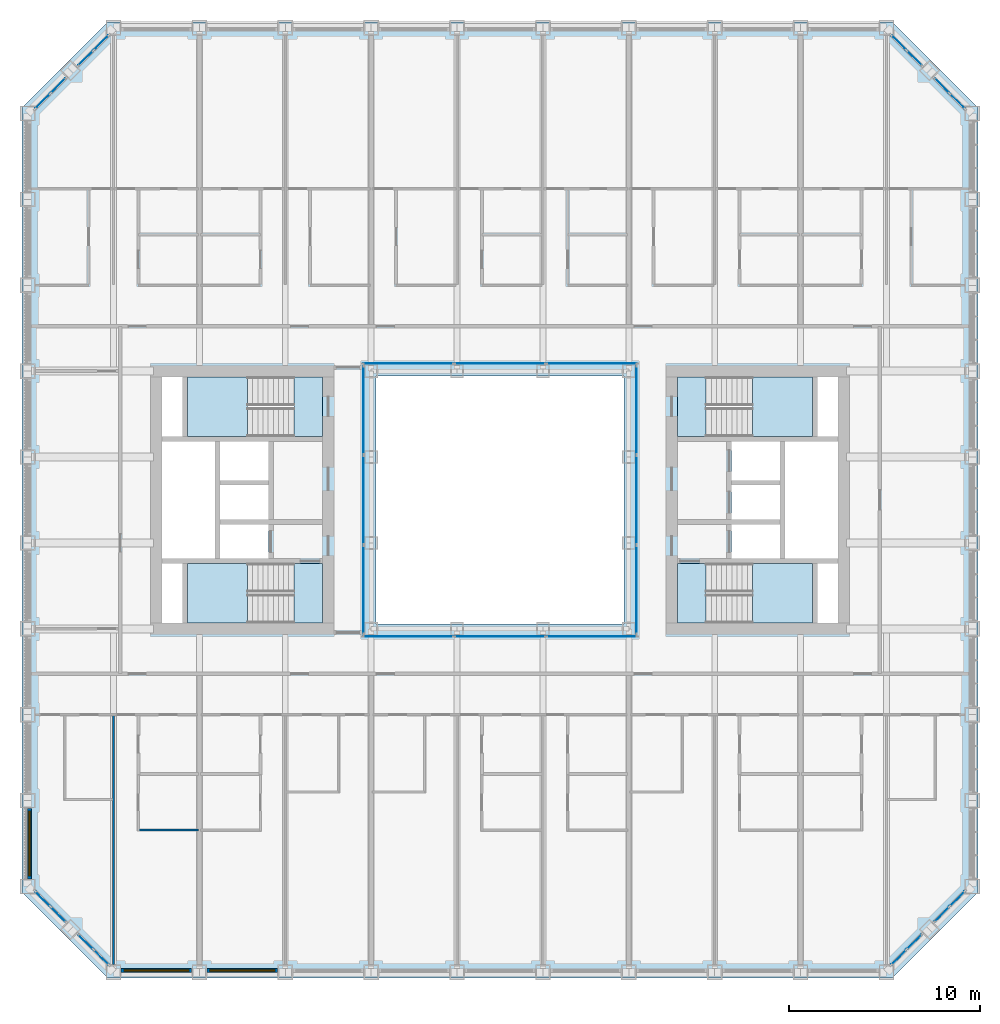
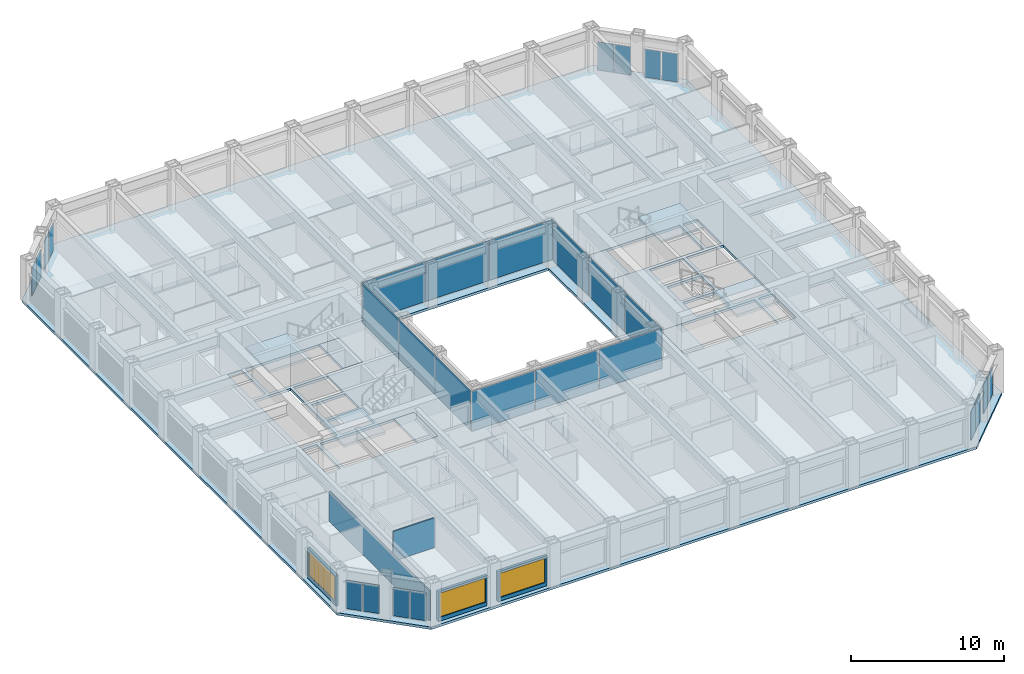
# One storey, part 8 of 21: 28 plates, 9 slabs, 5 walls, 3 windows, 3 openings, 16 elements without a shape of their own.
"""IFC4 building model written with IfcOpenShell, lengths in metres."""

from ifc_helpers import new_model, si_unit, direction, frame, frame_2d, origin, origin_2d, place, context, subcontext, project, spatial, polyline, rectangle, outline, extrude, material, layer, layer_set, type_object, element, fill, aggregate, save


model = new_model("IFC4")

# Units and contexts
model_context = context("Model", 3, precision=1e-05, world=origin(), true_north=direction((0.0, 1.0)))
body_context = subcontext(model_context, "Body", "Model", "MODEL_VIEW")
ifc_project = project(units=[si_unit("LENGTHUNIT", "METRE"), si_unit("AREAUNIT", "SQUARE_METRE"), si_unit("VOLUMEUNIT", "CUBIC_METRE"), si_unit("PLANEANGLEUNIT", "RADIAN"), si_unit("MASSUNIT", "GRAM", prefix="KILO")], contexts=[model_context])

# Site, building, storey
site_placement = place(None, origin())
site = spatial("IfcSite", under=ifc_project, at=site_placement, CompositionType="ELEMENT")
building_placement = place(site_placement, origin())
building = spatial("IfcBuilding", under=site, at=building_placement, Name="Msasa Ring Tower", CompositionType="ELEMENT")
storey_placement = place(building_placement, frame((0.0, 0.0, 51.0)))
storey = spatial("IfcBuildingStorey", under=building, at=storey_placement, Name="L12", CompositionType="ELEMENT", Elevation=51.0)

# Curtain wall, plates
ifc_material_1 = material(Name="Aluminium curtain wall with clear glass", Category="aluminium")
curtain_wall_type_1 = type_object("IfcCurtainWallType", Name="CW-C CHAMFER CORNER CURTAIN WALL", PredefinedType="NOTDEFINED", material=ifc_material_1)
curtain_wall_1_placement = place(storey_placement, origin())
curtain_wall_1 = element("IfcCurtainWall", 1, at=curtain_wall_1_placement, inside=storey, type_object=curtain_wall_type_1, Name="Chamfer corner curtain wall SE L12", PredefinedType="NOTDEFINED")
ifc_material_2 = material(Name="Clear laminated insulating glass unit", Category="glass")
ifc_layer_1 = layer(ifc_material_2, 0.031982421875)
ifc_layer_set_1 = layer_set([ifc_layer_1], Name="CW-C GLASS PANEL 32")
plate_type_1 = type_object("IfcPlateType", Name="CW-C GLASS PANEL 32", PredefinedType="CURTAIN_PANEL", material=ifc_layer_set_1)
plate_1_placement = place(storey_placement, frame((20.896484375, -23.962158203125, 0.06494140625), z_axis=(0.0, 0.0, 1.0), x_axis=(0.707106781187, 0.707106781187, 0.0)))
plate_1 = element("IfcPlate", 2, at=plate_1_placement, type_object=plate_type_1, Name="CW-C panel 1.1", PredefinedType="CURTAIN_PANEL", context=body_context, shape_type="SweptSolid", body=[
    extrude(rectangle(XDim=1.08837890625, YDim=0.031982421875, at=origin_2d()), origin(), (0.0, 0.0, 1.0), 2.2490234375),
])
plate_2_placement = place(storey_placement, frame((21.712158203125, -23.146484375, 0.06494140625), z_axis=(0.0, 0.0, 1.0), x_axis=(0.707106781187, 0.707106781187, 0.0)))
plate_2 = element("IfcPlate", 3, at=plate_2_placement, type_object=plate_type_1, Name="CW-C panel 2.1", PredefinedType="CURTAIN_PANEL", context=body_context, shape_type="SweptSolid", body=[
    extrude(rectangle(XDim=1.08837890625, YDim=0.031982421875, at=origin_2d()), origin(), (0.0, 0.0, 1.0), 2.2490234375),
])
aggregate(curtain_wall_1, [plate_1, plate_2])

curtain_wall_2_placement = place(storey_placement, origin())
curtain_wall_2 = element("IfcCurtainWall", 4, at=curtain_wall_2_placement, inside=storey, type_object=curtain_wall_type_1, Name="Chamfer corner curtain wall SE L12", PredefinedType="NOTDEFINED")
plate_3_placement = place(storey_placement, frame((23.146484375, -21.712158203125, 0.06494140625), z_axis=(0.0, 0.0, 1.0), x_axis=(0.707106781187, 0.707106781187, 0.0)))
plate_3 = element("IfcPlate", 5, at=plate_3_placement, type_object=plate_type_1, Name="CW-C panel 1.1", PredefinedType="CURTAIN_PANEL", context=body_context, shape_type="SweptSolid", body=[
    extrude(rectangle(XDim=1.08837890625, YDim=0.031982421875, at=origin_2d()), origin(), (0.0, 0.0, 1.0), 2.2490234375),
])
plate_4_placement = place(storey_placement, frame((23.962158203125, -20.896484375, 0.06494140625), z_axis=(0.0, 0.0, 1.0), x_axis=(0.707106781187, 0.707106781187, 0.0)))
plate_4 = element("IfcPlate", 6, at=plate_4_placement, type_object=plate_type_1, Name="CW-C panel 2.1", PredefinedType="CURTAIN_PANEL", context=body_context, shape_type="SweptSolid", body=[
    extrude(rectangle(XDim=1.08837890625, YDim=0.031982421875, at=origin_2d()), origin(), (0.0, 0.0, 1.0), 2.2490234375),
])
aggregate(curtain_wall_2, [plate_3, plate_4])

curtain_wall_3_placement = place(storey_placement, origin())
curtain_wall_3 = element("IfcCurtainWall", 7, at=curtain_wall_3_placement, inside=storey, type_object=curtain_wall_type_1, Name="Chamfer corner curtain wall NE L12", PredefinedType="NOTDEFINED")
plate_5_placement = place(storey_placement, frame((21.712158203125, 23.146484375, 0.06494140625), z_axis=(0.0, 0.0, 1.0), x_axis=(-0.707106781187, 0.707106781187, 0.0)))
plate_5 = element("IfcPlate", 8, at=plate_5_placement, type_object=plate_type_1, Name="CW-C panel 1.1", PredefinedType="CURTAIN_PANEL", context=body_context, shape_type="SweptSolid", body=[
    extrude(rectangle(XDim=1.08837890625, YDim=0.031982421875, at=origin_2d()), origin(), (0.0, 0.0, 1.0), 2.2490234375),
])
plate_6_placement = place(storey_placement, frame((20.896484375, 23.962158203125, 0.06494140625), z_axis=(0.0, 0.0, 1.0), x_axis=(-0.707106781187, 0.707106781187, 0.0)))
plate_6 = element("IfcPlate", 9, at=plate_6_placement, type_object=plate_type_1, Name="CW-C panel 2.1", PredefinedType="CURTAIN_PANEL", context=body_context, shape_type="SweptSolid", body=[
    extrude(rectangle(XDim=1.08837890625, YDim=0.031982421875, at=origin_2d()), origin(), (0.0, 0.0, 1.0), 2.2490234375),
])
aggregate(curtain_wall_3, [plate_5, plate_6])

curtain_wall_4_placement = place(storey_placement, origin())
curtain_wall_4 = element("IfcCurtainWall", 10, at=curtain_wall_4_placement, inside=storey, type_object=curtain_wall_type_1, Name="Chamfer corner curtain wall NE L12", PredefinedType="NOTDEFINED")
plate_7_placement = place(storey_placement, frame((23.962158203125, 20.896484375, 0.06494140625), z_axis=(0.0, 0.0, 1.0), x_axis=(-0.707106781187, 0.707106781187, 0.0)))
plate_7 = element("IfcPlate", 11, at=plate_7_placement, type_object=plate_type_1, Name="CW-C panel 1.1", PredefinedType="CURTAIN_PANEL", context=body_context, shape_type="SweptSolid", body=[
    extrude(rectangle(XDim=1.08837890625, YDim=0.031982421875, at=origin_2d()), origin(), (0.0, 0.0, 1.0), 2.2490234375),
])
plate_8_placement = place(storey_placement, frame((23.146484375, 21.712158203125, 0.06494140625), z_axis=(0.0, 0.0, 1.0), x_axis=(-0.707106781187, 0.707106781187, 0.0)))
plate_8 = element("IfcPlate", 12, at=plate_8_placement, type_object=plate_type_1, Name="CW-C panel 2.1", PredefinedType="CURTAIN_PANEL", context=body_context, shape_type="SweptSolid", body=[
    extrude(rectangle(XDim=1.08837890625, YDim=0.031982421875, at=origin_2d()), origin(), (0.0, 0.0, 1.0), 2.2490234375),
])
aggregate(curtain_wall_4, [plate_7, plate_8])

curtain_wall_5_placement = place(storey_placement, origin())
curtain_wall_5 = element("IfcCurtainWall", 13, at=curtain_wall_5_placement, inside=storey, type_object=curtain_wall_type_1, Name="Chamfer corner curtain wall NW L12", PredefinedType="NOTDEFINED")
plate_9_placement = place(storey_placement, frame((-23.146484375, 21.712158203125, 0.06494140625), z_axis=(0.0, 0.0, 1.0), x_axis=(-0.707106781187, -0.707106781187, 0.0)))
plate_9 = element("IfcPlate", 14, at=plate_9_placement, type_object=plate_type_1, Name="CW-C panel 1.1", PredefinedType="CURTAIN_PANEL", context=body_context, shape_type="SweptSolid", body=[
    extrude(rectangle(XDim=1.08837890625, YDim=0.031982421875, at=origin_2d()), origin(), (0.0, 0.0, 1.0), 2.2490234375),
])
plate_10_placement = place(storey_placement, frame((-23.962158203125, 20.896484375, 0.06494140625), z_axis=(0.0, 0.0, 1.0), x_axis=(-0.707106781187, -0.707106781187, 0.0)))
plate_10 = element("IfcPlate", 15, at=plate_10_placement, type_object=plate_type_1, Name="CW-C panel 2.1", PredefinedType="CURTAIN_PANEL", context=body_context, shape_type="SweptSolid", body=[
    extrude(rectangle(XDim=1.08837890625, YDim=0.031982421875, at=origin_2d()), origin(), (0.0, 0.0, 1.0), 2.2490234375),
])
aggregate(curtain_wall_5, [plate_9, plate_10])

curtain_wall_6_placement = place(storey_placement, origin())
curtain_wall_6 = element("IfcCurtainWall", 16, at=curtain_wall_6_placement, inside=storey, type_object=curtain_wall_type_1, Name="Chamfer corner curtain wall NW L12", PredefinedType="NOTDEFINED")
plate_11_placement = place(storey_placement, frame((-20.896484375, 23.962158203125, 0.06494140625), z_axis=(0.0, 0.0, 1.0), x_axis=(-0.707106781187, -0.707106781187, 0.0)))
plate_11 = element("IfcPlate", 17, at=plate_11_placement, type_object=plate_type_1, Name="CW-C panel 1.1", PredefinedType="CURTAIN_PANEL", context=body_context, shape_type="SweptSolid", body=[
    extrude(rectangle(XDim=1.08837890625, YDim=0.031982421875, at=origin_2d()), origin(), (0.0, 0.0, 1.0), 2.2490234375),
])
plate_12_placement = place(storey_placement, frame((-21.712158203125, 23.146484375, 0.06494140625), z_axis=(0.0, 0.0, 1.0), x_axis=(-0.707106781187, -0.707106781187, 0.0)))
plate_12 = element("IfcPlate", 18, at=plate_12_placement, type_object=plate_type_1, Name="CW-C panel 2.1", PredefinedType="CURTAIN_PANEL", context=body_context, shape_type="SweptSolid", body=[
    extrude(rectangle(XDim=1.08837890625, YDim=0.031982421875, at=origin_2d()), origin(), (0.0, 0.0, 1.0), 2.2490234375),
])
aggregate(curtain_wall_6, [plate_11, plate_12])

curtain_wall_7_placement = place(storey_placement, origin())
curtain_wall_7 = element("IfcCurtainWall", 19, at=curtain_wall_7_placement, inside=storey, type_object=curtain_wall_type_1, Name="Chamfer corner curtain wall SW L12", PredefinedType="NOTDEFINED")
plate_13_placement = place(storey_placement, frame((-23.962158203125, -20.896484375, 0.06494140625), z_axis=(0.0, 0.0, 1.0), x_axis=(0.707106781187, -0.707106781187, 0.0)))
plate_13 = element("IfcPlate", 20, at=plate_13_placement, type_object=plate_type_1, Name="CW-C panel 1.1", PredefinedType="CURTAIN_PANEL", context=body_context, shape_type="SweptSolid", body=[
    extrude(rectangle(XDim=1.08837890625, YDim=0.031982421875, at=origin_2d()), origin(), (0.0, 0.0, 1.0), 2.2490234375),
])
plate_14_placement = place(storey_placement, frame((-23.146484375, -21.712158203125, 0.06494140625), z_axis=(0.0, 0.0, 1.0), x_axis=(0.707106781187, -0.707106781187, 0.0)))
plate_14 = element("IfcPlate", 21, at=plate_14_placement, type_object=plate_type_1, Name="CW-C panel 2.1", PredefinedType="CURTAIN_PANEL", context=body_context, shape_type="SweptSolid", body=[
    extrude(rectangle(XDim=1.08837890625, YDim=0.031982421875, at=origin_2d()), origin(), (0.0, 0.0, 1.0), 2.2490234375),
])
aggregate(curtain_wall_7, [plate_13, plate_14])

curtain_wall_8_placement = place(storey_placement, origin())
curtain_wall_8 = element("IfcCurtainWall", 22, at=curtain_wall_8_placement, inside=storey, type_object=curtain_wall_type_1, Name="Chamfer corner curtain wall SW L12", PredefinedType="NOTDEFINED")
plate_15_placement = place(storey_placement, frame((-21.712158203125, -23.146484375, 0.06494140625), z_axis=(0.0, 0.0, 1.0), x_axis=(0.707106781187, -0.707106781187, 0.0)))
plate_15 = element("IfcPlate", 23, at=plate_15_placement, type_object=plate_type_1, Name="CW-C panel 1.1", PredefinedType="CURTAIN_PANEL", context=body_context, shape_type="SweptSolid", body=[
    extrude(rectangle(XDim=1.08837890625, YDim=0.031982421875, at=origin_2d()), origin(), (0.0, 0.0, 1.0), 2.2490234375),
])
plate_16_placement = place(storey_placement, frame((-20.896484375, -23.962158203125, 0.06494140625), z_axis=(0.0, 0.0, 1.0), x_axis=(0.707106781187, -0.707106781187, 0.0)))
plate_16 = element("IfcPlate", 24, at=plate_16_placement, type_object=plate_type_1, Name="CW-C panel 2.1", PredefinedType="CURTAIN_PANEL", context=body_context, shape_type="SweptSolid", body=[
    extrude(rectangle(XDim=1.08837890625, YDim=0.031982421875, at=origin_2d()), origin(), (0.0, 0.0, 1.0), 2.2490234375),
])
aggregate(curtain_wall_8, [plate_15, plate_16])

ifc_material_3 = material(Name="Aluminium curtain wall with clear glass", Category="aluminium")
curtain_wall_type_2 = type_object("IfcCurtainWallType", Name="CW-W LIGHT WELL CURTAIN WALL", PredefinedType="NOTDEFINED", material=ifc_material_3)
curtain_wall_9_placement = place(storey_placement, origin())
curtain_wall_9 = element("IfcCurtainWall", 25, at=curtain_wall_9_placement, inside=storey, type_object=curtain_wall_type_2, Name="Light well curtain wall N L12", PredefinedType="NOTDEFINED")
ifc_material_4 = material(Name="Clear laminated insulating glass unit", Category="glass")
ifc_layer_2 = layer(ifc_material_4, 0.028076171875)
ifc_layer_set_2 = layer_set([ifc_layer_2], Name="CW-W GLASS PANEL 28")
plate_type_2 = type_object("IfcPlateType", Name="CW-W GLASS PANEL 28", PredefinedType="CURTAIN_PANEL", material=ifc_layer_set_2)
plate_17_placement = place(storey_placement, frame((-4.804931640625, 7.14990234375, 0.06005859375), z_axis=(0.0, 0.0, 1.0), x_axis=(1.0, 0.0, 0.0)))
plate_17 = element("IfcPlate", 26, at=plate_17_placement, type_object=plate_type_2, Name="CW-W panel 1.1", PredefinedType="CURTAIN_PANEL", context=body_context, shape_type="SweptSolid", body=[
    extrude(rectangle(XDim=4.72998046875, YDim=0.028076171875, at=origin_2d()), origin(), (0.0, 0.0, 1.0), 3.179931640625),
])
plate_18_placement = place(storey_placement, frame((0.0, 7.14990234375, 0.06005859375), z_axis=(0.0, 0.0, 1.0), x_axis=(1.0, 0.0, 0.0)))
plate_18 = element("IfcPlate", 27, at=plate_18_placement, type_object=plate_type_2, Name="CW-W panel 2.1", PredefinedType="CURTAIN_PANEL", context=body_context, shape_type="SweptSolid", body=[
    extrude(rectangle(XDim=4.760009765625, YDim=0.028076171875, at=origin_2d()), origin(), (0.0, 0.0, 1.0), 3.179931640625),
])
plate_19_placement = place(storey_placement, frame((4.804931640625, 7.14990234375, 0.06005859375), z_axis=(0.0, 0.0, 1.0), x_axis=(1.0, 0.0, 0.0)))
plate_19 = element("IfcPlate", 28, at=plate_19_placement, type_object=plate_type_2, Name="CW-W panel 3.1", PredefinedType="CURTAIN_PANEL", context=body_context, shape_type="SweptSolid", body=[
    extrude(rectangle(XDim=4.72998046875, YDim=0.028076171875, at=origin_2d()), origin(), (0.0, 0.0, 1.0), 3.179931640625),
])
aggregate(curtain_wall_9, [plate_17, plate_18, plate_19])

curtain_wall_10_placement = place(storey_placement, origin())
curtain_wall_10 = element("IfcCurtainWall", 29, at=curtain_wall_10_placement, inside=storey, type_object=curtain_wall_type_2, Name="Light well curtain wall S L12", PredefinedType="NOTDEFINED")
plate_20_placement = place(storey_placement, frame((-4.804931640625, -7.14990234375, 0.06005859375), z_axis=(0.0, 0.0, 1.0), x_axis=(1.0, 0.0, 0.0)))
plate_20 = element("IfcPlate", 30, at=plate_20_placement, type_object=plate_type_2, Name="CW-W panel 1.1", PredefinedType="CURTAIN_PANEL", context=body_context, shape_type="SweptSolid", body=[
    extrude(rectangle(XDim=4.72998046875, YDim=0.028076171875, at=origin_2d()), origin(), (0.0, 0.0, 1.0), 3.179931640625),
])
plate_21_placement = place(storey_placement, frame((0.0, -7.14990234375, 0.06005859375), z_axis=(0.0, 0.0, 1.0), x_axis=(1.0, 0.0, 0.0)))
plate_21 = element("IfcPlate", 31, at=plate_21_placement, type_object=plate_type_2, Name="CW-W panel 2.1", PredefinedType="CURTAIN_PANEL", context=body_context, shape_type="SweptSolid", body=[
    extrude(rectangle(XDim=4.760009765625, YDim=0.028076171875, at=origin_2d()), origin(), (0.0, 0.0, 1.0), 3.179931640625),
])
plate_22_placement = place(storey_placement, frame((4.804931640625, -7.14990234375, 0.06005859375), z_axis=(0.0, 0.0, 1.0), x_axis=(1.0, 0.0, 0.0)))
plate_22 = element("IfcPlate", 32, at=plate_22_placement, type_object=plate_type_2, Name="CW-W panel 3.1", PredefinedType="CURTAIN_PANEL", context=body_context, shape_type="SweptSolid", body=[
    extrude(rectangle(XDim=4.72998046875, YDim=0.028076171875, at=origin_2d()), origin(), (0.0, 0.0, 1.0), 3.179931640625),
])
aggregate(curtain_wall_10, [plate_20, plate_21, plate_22])

curtain_wall_11_placement = place(storey_placement, origin())
curtain_wall_11 = element("IfcCurtainWall", 33, at=curtain_wall_11_placement, inside=storey, type_object=curtain_wall_type_2, Name="Light well curtain wall E L12", PredefinedType="NOTDEFINED")
plate_23_placement = place(storey_placement, frame((7.14990234375, -4.6982421875, 0.06005859375), z_axis=(0.0, 0.0, 1.0), x_axis=(0.0, 1.0, 0.0)))
plate_23 = element("IfcPlate", 34, at=plate_23_placement, type_object=plate_type_2, Name="CW-W panel 1.1", PredefinedType="CURTAIN_PANEL", context=body_context, shape_type="SweptSolid", body=[
    extrude(rectangle(XDim=4.623291015625, YDim=0.028076171875, at=origin_2d()), origin(), (0.0, 0.0, 1.0), 3.179931640625),
])
plate_24_placement = place(storey_placement, frame((7.14990234375, 0.0, 0.06005859375), z_axis=(0.0, 0.0, 1.0), x_axis=(0.0, 1.0, 0.0)))
plate_24 = element("IfcPlate", 35, at=plate_24_placement, type_object=plate_type_2, Name="CW-W panel 2.1", PredefinedType="CURTAIN_PANEL", context=body_context, shape_type="SweptSolid", body=[
    extrude(rectangle(XDim=4.6533203125, YDim=0.028076171875, at=origin_2d()), origin(), (0.0, 0.0, 1.0), 3.179931640625),
])
plate_25_placement = place(storey_placement, frame((7.14990234375, 4.6982421875, 0.06005859375), z_axis=(0.0, 0.0, 1.0), x_axis=(0.0, 1.0, 0.0)))
plate_25 = element("IfcPlate", 36, at=plate_25_placement, type_object=plate_type_2, Name="CW-W panel 3.1", PredefinedType="CURTAIN_PANEL", context=body_context, shape_type="SweptSolid", body=[
    extrude(rectangle(XDim=4.623291015625, YDim=0.028076171875, at=origin_2d()), origin(), (0.0, 0.0, 1.0), 3.179931640625),
])
aggregate(curtain_wall_11, [plate_23, plate_24, plate_25])

curtain_wall_12_placement = place(storey_placement, origin())
curtain_wall_12 = element("IfcCurtainWall", 37, at=curtain_wall_12_placement, inside=storey, type_object=curtain_wall_type_2, Name="Light well curtain wall W L12", PredefinedType="NOTDEFINED")
plate_26_placement = place(storey_placement, frame((-7.14990234375, -4.6982421875, 0.06005859375), z_axis=(0.0, 0.0, 1.0), x_axis=(0.0, 1.0, 0.0)))
plate_26 = element("IfcPlate", 38, at=plate_26_placement, type_object=plate_type_2, Name="CW-W panel 1.1", PredefinedType="CURTAIN_PANEL", context=body_context, shape_type="SweptSolid", body=[
    extrude(rectangle(XDim=4.623291015625, YDim=0.028076171875, at=origin_2d()), origin(), (0.0, 0.0, 1.0), 3.179931640625),
])
plate_27_placement = place(storey_placement, frame((-7.14990234375, 0.0, 0.06005859375), z_axis=(0.0, 0.0, 1.0), x_axis=(0.0, 1.0, 0.0)))
plate_27 = element("IfcPlate", 39, at=plate_27_placement, type_object=plate_type_2, Name="CW-W panel 2.1", PredefinedType="CURTAIN_PANEL", context=body_context, shape_type="SweptSolid", body=[
    extrude(rectangle(XDim=4.6533203125, YDim=0.028076171875, at=origin_2d()), origin(), (0.0, 0.0, 1.0), 3.179931640625),
])
plate_28_placement = place(storey_placement, frame((-7.14990234375, 4.6982421875, 0.06005859375), z_axis=(0.0, 0.0, 1.0), x_axis=(0.0, 1.0, 0.0)))
plate_28 = element("IfcPlate", 40, at=plate_28_placement, type_object=plate_type_2, Name="CW-W panel 3.1", PredefinedType="CURTAIN_PANEL", context=body_context, shape_type="SweptSolid", body=[
    extrude(rectangle(XDim=4.623291015625, YDim=0.028076171875, at=origin_2d()), origin(), (0.0, 0.0, 1.0), 3.179931640625),
])
aggregate(curtain_wall_12, [plate_26, plate_27, plate_28])

# Stair, slabs
ifc_material_5 = material(Name="Concrete C40/50", Category="concrete")
stair_type = type_object("IfcStairType", Name="STC CORE STAIR 20 RISERS 175", PredefinedType="HALF_TURN_STAIR", material=ifc_material_5)
stair_1_placement = place(storey_placement, origin())
stair_1 = element("IfcStair", 41, at=stair_1_placement, inside=storey, type_object=stair_type, Name="Core stair SEA L12", PredefinedType="HALF_TURN_STAIR")
ifc_material_6 = material(Name="Concrete C40/50", Category="concrete")
ifc_layer_3 = layer(ifc_material_6, 0.199951171875)
ifc_layer_set_3 = layer_set([ifc_layer_3], Name="LD1 CORE STAIR LANDING 200")
slab_type_1 = type_object("IfcSlabType", Name="LD1 CORE STAIR LANDING 200", PredefinedType="LANDING", material=ifc_layer_set_3)
slab_1_placement = place(storey_placement, frame((0.0, 0.0, -0.199951171875)))
slab_1 = element("IfcSlab", 42, at=slab_1_placement, type_object=slab_type_1, Name="SEA landing 1", PredefinedType="LANDING", context=body_context, shape_type="SweptSolid", body=[
    extrude(outline(polyline([(9.300048828125, -6.449951171875), (10.800048828125, -6.449951171875), (10.800048828125, -3.324951171875), (9.300048828125, -3.324951171875), (9.300048828125, -6.449951171875)])), origin(), (0.0, 0.0, 1.0), 0.199951171875),
])
slab_2_placement = place(storey_placement, frame((0.0, 0.0, 1.550048828125)))
slab_2 = element("IfcSlab", 43, at=slab_2_placement, type_object=slab_type_1, Name="SEA landing 2", PredefinedType="LANDING", context=body_context, shape_type="SweptSolid", body=[
    extrude(outline(polyline([(13.22998046875, -6.449951171875), (16.375, -6.449951171875), (16.375, -3.324951171875), (13.22998046875, -3.324951171875), (13.22998046875, -6.449951171875)])), origin(), (0.0, 0.0, 1.0), 0.199951171875),
])
aggregate(stair_1, [slab_1, slab_2])

stair_2_placement = place(storey_placement, origin())
stair_2 = element("IfcStair", 44, at=stair_2_placement, inside=storey, type_object=stair_type, Name="Core stair SEB L12", PredefinedType="HALF_TURN_STAIR")
slab_3_placement = place(storey_placement, frame((0.0, 0.0, -0.199951171875)))
slab_3 = element("IfcSlab", 45, at=slab_3_placement, type_object=slab_type_1, Name="SEB landing 1", PredefinedType="LANDING", context=body_context, shape_type="SweptSolid", body=[
    extrude(outline(polyline([(9.300048828125, 3.324951171875), (10.800048828125, 3.324951171875), (10.800048828125, 6.449951171875), (9.300048828125, 6.449951171875), (9.300048828125, 3.324951171875)])), origin(), (0.0, 0.0, 1.0), 0.199951171875),
])
slab_4_placement = place(storey_placement, frame((0.0, 0.0, 1.550048828125)))
slab_4 = element("IfcSlab", 46, at=slab_4_placement, type_object=slab_type_1, Name="SEB landing 2", PredefinedType="LANDING", context=body_context, shape_type="SweptSolid", body=[
    extrude(outline(polyline([(13.22998046875, 3.324951171875), (16.375, 3.324951171875), (16.375, 6.449951171875), (13.22998046875, 6.449951171875), (13.22998046875, 3.324951171875)])), origin(), (0.0, 0.0, 1.0), 0.199951171875),
])
aggregate(stair_2, [slab_3, slab_4])

stair_3_placement = place(storey_placement, origin())
stair_3 = element("IfcStair", 47, at=stair_3_placement, inside=storey, type_object=stair_type, Name="Core stair SWA L12", PredefinedType="HALF_TURN_STAIR")
slab_5_placement = place(storey_placement, frame((0.0, 0.0, -0.199951171875)))
slab_5 = element("IfcSlab", 48, at=slab_5_placement, type_object=slab_type_1, Name="SWA landing 1", PredefinedType="LANDING", context=body_context, shape_type="SweptSolid", body=[
    extrude(outline(polyline([(-10.800048828125, -6.449951171875), (-9.300048828125, -6.449951171875), (-9.300048828125, -3.324951171875), (-10.800048828125, -3.324951171875), (-10.800048828125, -6.449951171875)])), origin(), (0.0, 0.0, 1.0), 0.199951171875),
])
slab_6_placement = place(storey_placement, frame((0.0, 0.0, 1.550048828125)))
slab_6 = element("IfcSlab", 49, at=slab_6_placement, type_object=slab_type_1, Name="SWA landing 2", PredefinedType="LANDING", context=body_context, shape_type="SweptSolid", body=[
    extrude(outline(polyline([(-16.375, -6.449951171875), (-13.22998046875, -6.449951171875), (-13.22998046875, -3.324951171875), (-16.375, -3.324951171875), (-16.375, -6.449951171875)])), origin(), (0.0, 0.0, 1.0), 0.199951171875),
])
aggregate(stair_3, [slab_5, slab_6])

stair_4_placement = place(storey_placement, origin())
stair_4 = element("IfcStair", 50, at=stair_4_placement, inside=storey, type_object=stair_type, Name="Core stair SWB L12", PredefinedType="HALF_TURN_STAIR")
slab_7_placement = place(storey_placement, frame((0.0, 0.0, -0.199951171875)))
slab_7 = element("IfcSlab", 51, at=slab_7_placement, type_object=slab_type_1, Name="SWB landing 1", PredefinedType="LANDING", context=body_context, shape_type="SweptSolid", body=[
    extrude(outline(polyline([(-10.800048828125, 3.324951171875), (-9.300048828125, 3.324951171875), (-9.300048828125, 6.449951171875), (-10.800048828125, 6.449951171875), (-10.800048828125, 3.324951171875)])), origin(), (0.0, 0.0, 1.0), 0.199951171875),
])
slab_8_placement = place(storey_placement, frame((0.0, 0.0, 1.550048828125)))
slab_8 = element("IfcSlab", 52, at=slab_8_placement, type_object=slab_type_1, Name="SWB landing 2", PredefinedType="LANDING", context=body_context, shape_type="SweptSolid", body=[
    extrude(outline(polyline([(-16.375, 3.324951171875), (-13.22998046875, 3.324951171875), (-13.22998046875, 6.449951171875), (-16.375, 6.449951171875), (-16.375, 3.324951171875)])), origin(), (0.0, 0.0, 1.0), 0.199951171875),
])
aggregate(stair_4, [slab_7, slab_8])

# Slab
ifc_material_7 = material(Name="Concrete C40/50", Category="concrete")
ifc_layer_4 = layer(ifc_material_7, 0.199951171875)
ifc_layer_set_4 = layer_set([ifc_layer_4], Name="S3 RESIDENCE FLOOR 200")
slab_type_2 = type_object("IfcSlabType", Name="S3 RESIDENCE FLOOR 200", PredefinedType="FLOOR", material=ifc_layer_set_4)
slab_9_placement = place(storey_placement, frame((0.0, 0.0, -0.199951171875)))
element("IfcSlab", 53, at=slab_9_placement, inside=storey, type_object=slab_type_2, Name="Floor slab L12", PredefinedType="FLOOR", context=body_context, shape_type="SweptSolid", body=[
    extrude(outline(polyline([(-20.550048828125, -25.050048828125), (20.550048828125, -25.050048828125), (25.050048828125, -20.550048828125), (25.050048828125, 20.550048828125), (20.550048828125, 25.050048828125), (-20.550048828125, 25.050048828125), (-25.050048828125, 20.550048828125), (-25.050048828125, -20.550048828125), (-20.550048828125, -25.050048828125)]), holes=[polyline([(-6.5, -6.5), (6.5, -6.5), (6.5, 6.5), (-6.5, 6.5), (-6.5, -6.5)]), polyline([(9.300048828125, -6.449951171875), (16.375, -6.449951171875), (16.375, -3.324951171875), (9.300048828125, -3.324951171875), (9.300048828125, -6.449951171875)]), polyline([(9.300048828125, 3.324951171875), (16.375, 3.324951171875), (16.375, 6.449951171875), (9.300048828125, 6.449951171875), (9.300048828125, 3.324951171875)]), polyline([(12.125, -3.074951171875), (14.675048828125, -3.074951171875), (14.675048828125, -1.27490234375), (12.125, -1.27490234375), (12.125, -3.074951171875)]), polyline([(12.125, -1.02490234375), (14.675048828125, -1.02490234375), (14.675048828125, 0.77490234375), (12.125, 0.77490234375), (12.125, -1.02490234375)]), polyline([(12.125, 1.02490234375), (14.675048828125, 1.02490234375), (14.675048828125, 3.074951171875), (12.125, 3.074951171875), (12.125, 1.02490234375)]), polyline([(16.625, -6.449951171875), (17.699951171875, -6.449951171875), (17.699951171875, -3.324951171875), (16.625, -3.324951171875), (16.625, -6.449951171875)]), polyline([(16.625, 3.324951171875), (17.699951171875, 3.324951171875), (17.699951171875, 6.449951171875), (16.625, 6.449951171875), (16.625, 3.324951171875)]), polyline([(14.925048828125, -3.074951171875), (17.699951171875, -3.074951171875), (17.699951171875, 3.074951171875), (14.925048828125, 3.074951171875), (14.925048828125, -3.074951171875)]), polyline([(-16.375, -6.449951171875), (-9.300048828125, -6.449951171875), (-9.300048828125, -3.324951171875), (-16.375, -3.324951171875), (-16.375, -6.449951171875)]), polyline([(-16.375, 3.324951171875), (-9.300048828125, 3.324951171875), (-9.300048828125, 6.449951171875), (-16.375, 6.449951171875), (-16.375, 3.324951171875)]), polyline([(-14.675048828125, -3.074951171875), (-12.125, -3.074951171875), (-12.125, -1.27490234375), (-14.675048828125, -1.27490234375), (-14.675048828125, -3.074951171875)]), polyline([(-14.675048828125, -1.02490234375), (-12.125, -1.02490234375), (-12.125, 0.77490234375), (-14.675048828125, 0.77490234375), (-14.675048828125, -1.02490234375)]), polyline([(-14.675048828125, 1.02490234375), (-12.125, 1.02490234375), (-12.125, 3.074951171875), (-14.675048828125, 3.074951171875), (-14.675048828125, 1.02490234375)]), polyline([(-17.699951171875, -6.449951171875), (-16.625, -6.449951171875), (-16.625, -3.324951171875), (-17.699951171875, -3.324951171875), (-17.699951171875, -6.449951171875)]), polyline([(-17.699951171875, 3.324951171875), (-16.625, 3.324951171875), (-16.625, 6.449951171875), (-17.699951171875, 6.449951171875), (-17.699951171875, 3.324951171875)]), polyline([(-17.699951171875, -3.074951171875), (-14.925048828125, -3.074951171875), (-14.925048828125, 3.074951171875), (-17.699951171875, 3.074951171875), (-17.699951171875, -3.074951171875)])]), origin(), (0.0, 0.0, 1.0), 0.199951171875),
])

# Wall, opening, window
ifc_material_8 = material(Name="Terracotta rainscreen on blockwork", Category="masonry")
ifc_layer_5 = layer(ifc_material_8, 0.199951171875)
ifc_layer_set_5 = layer_set([ifc_layer_5], Name="FW1 TERRACOTTA-LINED INFILL BAY WALL 200")
wall_type_1 = type_object("IfcWallType", Name="FW1 TERRACOTTA-LINED INFILL BAY WALL 200", PredefinedType="SOLIDWALL", material=ifc_layer_set_5)
wall_1_placement = place(storey_placement, frame((-19.844970703125, -24.64990234375, 0.0), z_axis=(0.0, 0.0, 1.0), x_axis=(1.0, 0.0, 0.0)))
wall_1 = element("IfcWall", 54, at=wall_1_placement, inside=storey, type_object=wall_type_1, Name="Infill bay wall S L12 00", PredefinedType="SOLIDWALL", context=body_context, shape_type="SweptSolid", body=[
    extrude(rectangle(XDim=3.68994140625, YDim=0.199951171875, at=frame_2d((1.844970703125, 0.0))), origin(), (0.0, 0.0, 1.0), 2.37890625),
])
opening_1_placement = place(wall_1_placement, frame((0.14501953125, 0.0, 0.300048828125)))
opening_1 = element("IfcOpeningElement", 55, at=opening_1_placement, cuts=wall_1, Name="Opening WN1", PredefinedType="OPENING", context=body_context, shape_type="SweptSolid", body=[
    extrude(rectangle(XDim=3.39990234375, YDim=1.928955078125, at=frame_2d((1.699951171875, 0.96435546875))), frame((0.0, 0.10986328125, 0.0), z_axis=(0.0, -1.0, 0.0), x_axis=(1.0, 0.0, 0.0)), (0.0, 0.0, 1.0), 0.219970703125),
])
ifc_material_9 = material(Name="Aluminium frame with clear glass", Category="aluminium")
window_type = type_object("IfcWindowType", Name="WN1 RESIDENCE WINDOW 3400x1929", PartitioningType="SINGLE_PANEL", PredefinedType="WINDOW", material=ifc_material_9)
window_1_placement = place(opening_1_placement, origin())
window_1 = element("IfcWindow", 56, at=window_1_placement, inside=storey, type_object=window_type, Name="Window S L12 00", OverallHeight=1.928955078125, OverallWidth=3.39990234375, PartitioningType="SINGLE_PANEL", PredefinedType="WINDOW", context=body_context, shape_type="SweptSolid", body=[
    extrude(rectangle(XDim=3.39990234375, YDim=1.928955078125, at=frame_2d((1.699951171875, 0.96435546875))), frame((0.0, 0.030029296875, 0.0), z_axis=(0.0, -1.0, 0.0), x_axis=(1.0, 0.0, 0.0)), (0.0, 0.0, 1.0), 0.06005859375),
])
fill(opening_1, window_1)

wall_2_placement = place(storey_placement, frame((-15.344970703125, -24.64990234375, 0.0), z_axis=(0.0, 0.0, 1.0), x_axis=(1.0, 0.0, 0.0)))
wall_2 = element("IfcWall", 57, at=wall_2_placement, inside=storey, type_object=wall_type_1, Name="Infill bay wall S L12 01", PredefinedType="SOLIDWALL", context=body_context, shape_type="SweptSolid", body=[
    extrude(rectangle(XDim=3.68994140625, YDim=0.199951171875, at=frame_2d((1.844970703125, 0.0))), origin(), (0.0, 0.0, 1.0), 2.37890625),
])
opening_2_placement = place(wall_2_placement, frame((0.14501953125, 0.0, 0.300048828125)))
opening_2 = element("IfcOpeningElement", 58, at=opening_2_placement, cuts=wall_2, Name="Opening WN1", PredefinedType="OPENING", context=body_context, shape_type="SweptSolid", body=[
    extrude(rectangle(XDim=3.39990234375, YDim=1.928955078125, at=frame_2d((1.699951171875, 0.96435546875))), frame((0.0, 0.10986328125, 0.0), z_axis=(0.0, -1.0, 0.0), x_axis=(1.0, 0.0, 0.0)), (0.0, 0.0, 1.0), 0.219970703125),
])
window_2_placement = place(opening_2_placement, origin())
window_2 = element("IfcWindow", 59, at=window_2_placement, inside=storey, type_object=window_type, Name="Window S L12 01", OverallHeight=1.928955078125, OverallWidth=3.39990234375, PartitioningType="SINGLE_PANEL", PredefinedType="WINDOW", context=body_context, shape_type="SweptSolid", body=[
    extrude(rectangle(XDim=3.39990234375, YDim=1.928955078125, at=frame_2d((1.699951171875, 0.96435546875))), frame((0.0, 0.030029296875, 0.0), z_axis=(0.0, -1.0, 0.0), x_axis=(1.0, 0.0, 0.0)), (0.0, 0.0, 1.0), 0.06005859375),
])
fill(opening_2, window_2)

wall_3_placement = place(storey_placement, frame((-24.64990234375, -19.844970703125, 0.0), z_axis=(0.0, 0.0, 1.0), x_axis=(0.0, 1.0, 0.0)))
wall_3 = element("IfcWall", 60, at=wall_3_placement, inside=storey, type_object=wall_type_1, Name="Infill bay wall W L12 33", PredefinedType="SOLIDWALL", context=body_context, shape_type="SweptSolid", body=[
    extrude(rectangle(XDim=3.68994140625, YDim=0.199951171875, at=frame_2d((1.844970703125, 0.0))), origin(), (0.0, 0.0, 1.0), 2.37890625),
])
opening_3_placement = place(wall_3_placement, frame((0.14501953125, 0.0, 0.300048828125)))
opening_3 = element("IfcOpeningElement", 61, at=opening_3_placement, cuts=wall_3, Name="Opening WN1", PredefinedType="OPENING", context=body_context, shape_type="SweptSolid", body=[
    extrude(rectangle(XDim=3.39990234375, YDim=1.928955078125, at=frame_2d((1.699951171875, 0.96435546875))), frame((0.0, 0.10986328125, 0.0), z_axis=(0.0, -1.0, 0.0), x_axis=(1.0, 0.0, 0.0)), (0.0, 0.0, 1.0), 0.219970703125),
])
window_3_placement = place(opening_3_placement, origin())
window_3 = element("IfcWindow", 62, at=window_3_placement, inside=storey, type_object=window_type, Name="Window W L12 33", OverallHeight=1.928955078125, OverallWidth=3.39990234375, PartitioningType="SINGLE_PANEL", PredefinedType="WINDOW", context=body_context, shape_type="SweptSolid", body=[
    extrude(rectangle(XDim=3.39990234375, YDim=1.928955078125, at=frame_2d((1.699951171875, 0.96435546875))), frame((0.0, 0.030029296875, 0.0), z_axis=(0.0, -1.0, 0.0), x_axis=(1.0, 0.0, 0.0)), (0.0, 0.0, 1.0), 0.06005859375),
])
fill(opening_3, window_3)

# Walls
ifc_material_10 = material(Name="Gypsum board on steel studs", Category="steel")
ifc_layer_6 = layer(ifc_material_10, 0.10009765625)
ifc_layer_set_6 = layer_set([ifc_layer_6], Name="PT2 STUD PARTITION 100")
wall_type_2 = type_object("IfcWallType", Name="PT2 STUD PARTITION 100", PredefinedType="PARTITIONING", material=ifc_layer_set_6)
wall_4_placement = place(storey_placement, frame((-20.25, -24.35009765625, 0.0), z_axis=(0.0, 0.0, 1.0), x_axis=(0.0, 1.0, 0.0)))
element("IfcWall", 63, at=wall_4_placement, inside=storey, type_object=wall_type_2, Name="Partition L12-US00P1", PredefinedType="PARTITIONING", context=body_context, shape_type="SweptSolid", body=[
    extrude(rectangle(XDim=13.050048828125, YDim=0.10009765625, at=frame_2d((6.52490234375, 0.0))), origin(), (0.0, 0.0, 1.0), 2.373291015625),
])
wall_5_placement = place(storey_placement, frame((-18.949951171875, -17.291015625, 0.0), z_axis=(0.0, 0.0, 1.0), x_axis=(1.0, 0.0, 0.0)))
element("IfcWall", 64, at=wall_5_placement, inside=storey, type_object=wall_type_2, Name="Partition L12-US00WY1", PredefinedType="PARTITIONING", context=body_context, shape_type="SweptSolid", body=[
    extrude(rectangle(XDim=3.139892578125, YDim=0.10009765625, at=frame_2d((1.56982421875, 0.0))), origin(), (0.0, 0.0, 1.0), 2.373291015625),
])

save(model, "model.ifc")
